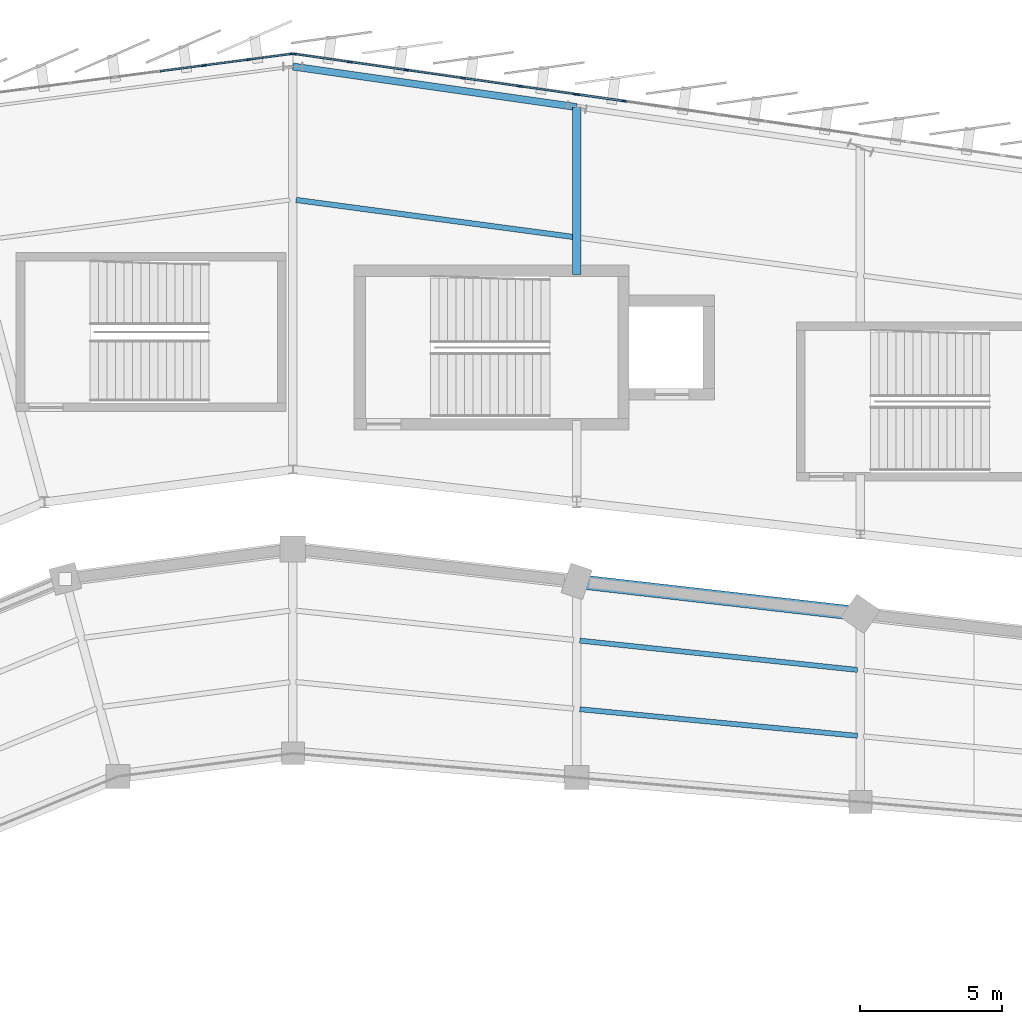
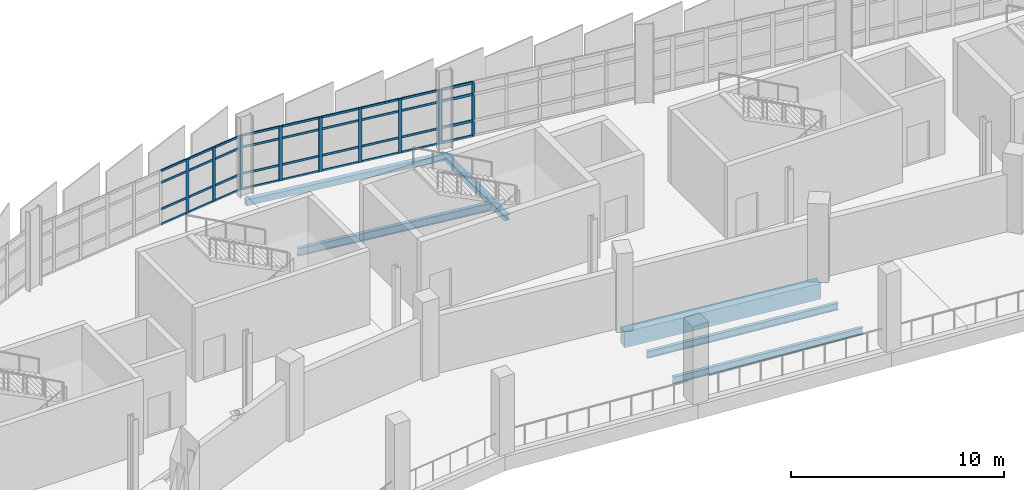
# One storey, part 58 of 125: 47 members, 6 beams, 3 elements without a shape of their own.
"""IFC4 building model written with IfcOpenShell, lengths in metres."""

import ifcopenshell
import ifcopenshell.guid

model = None  # the IFC model being written
_history = None  # IfcOwnerHistory: only IFC2X3 demands one
_inside = {}  # id of a spatial element -> (the spatial element, [elements in it])
_under = {}  # id of a project, library or spatial element -> (it, [spatial elements below it])
_declared = {}  # id of a project -> (the project, [libraries it declares])
_typed = {}  # id of a type object -> (the type object, [elements of that type])
_made_of = {}  # id of a material, layer set ... -> (it, [elements and type objects made of it])


def new_model(schema):
    """Start an empty IFC model of exactly this schema.

    Asked for "IFC4X3", IfcOpenShell would pick the latest addendum, in which some entities
    have other attributes; the version numbers below select the first issue.
    IFC2X3 requires an IfcOwnerHistory on every rooted entity: one is made here for all.
    """
    global model, _history
    if schema == "IFC4X3":
        model = ifcopenshell.file(schema_version=(4, 3, 0, 0))
    else:
        model = ifcopenshell.file(schema=schema)
    _inside.clear()
    _under.clear()
    _declared.clear()
    _typed.clear()
    _made_of.clear()
    _history = None
    if model.schema == "IFC2X3":
        org = make("IfcOrganization", Name="unknown")
        user = make(
            "IfcPersonAndOrganization",
            ThePerson=make("IfcPerson", FamilyName="unknown"),
            TheOrganization=org,
        )
        app = make(
            "IfcApplication",
            ApplicationDeveloper=org,
            Version="unknown",
            ApplicationFullName="unknown",
            ApplicationIdentifier="unknown",
        )
        _history = make(
            "IfcOwnerHistory",
            OwningUser=user,
            OwningApplication=app,
            ChangeAction="ADDED",
            CreationDate=0,
        )
    return model


def make(cls, **values):
    """One entity of the class cls with the attributes given. An attribute that is None is left unset."""
    return model.create_entity(
        cls, **{name: value for name, value in values.items() if value is not None}
    )


def rooted(cls, **values):
    """An entity with a GlobalId (a new one), such as an element, a storey or a relation."""
    return make(cls, GlobalId=ifcopenshell.guid.new(), OwnerHistory=_history, **values)


def si_unit(unit_type, name, prefix=None):
    """IfcSIUnit, for example si_unit("LENGTHUNIT", "METRE", prefix="MILLI")."""
    return make("IfcSIUnit", UnitType=unit_type, Prefix=prefix, Name=name)


def assignment(units):
    """IfcUnitAssignment: the units of a project."""
    return None if units is None else make("IfcUnitAssignment", Units=units)


def point(xyz):
    """IfcCartesianPoint."""
    return None if xyz is None else make("IfcCartesianPoint", Coordinates=xyz)


def direction(xyz):
    """IfcDirection."""
    return None if xyz is None else make("IfcDirection", DirectionRatios=xyz)


def frame(location, z_axis=None, x_axis=None):
    """IfcAxis2Placement3D, a coordinate frame: its origin and axes. An axis left out is left unset."""
    return make(
        "IfcAxis2Placement3D",
        Location=point(location),
        Axis=direction(z_axis),
        RefDirection=direction(x_axis),
    )


def frame_2d(location, x_axis=None):
    """IfcAxis2Placement2D, a coordinate frame in the plane: its origin and x axis."""
    return make(
        "IfcAxis2Placement2D", Location=point(location), RefDirection=direction(x_axis)
    )


def origin():
    """The frame at (0, 0, 0) with its axes left unset."""
    return frame((0.0, 0.0, 0.0))


def origin_2d():
    """The frame at (0, 0) in the plane with its x axis left unset."""
    return frame_2d((0.0, 0.0))


def place(relative_to, where):
    """IfcLocalPlacement: puts the frame where relative to a parent placement (None: the world)."""
    return make(
        "IfcLocalPlacement", PlacementRelTo=relative_to, RelativePlacement=where
    )


def context(
    kind, dimensions, precision=None, world=None, true_north=None, identifier=None
):
    """IfcGeometricRepresentationContext, for example the 3D "Model" context."""
    return make(
        "IfcGeometricRepresentationContext",
        ContextIdentifier=identifier,
        ContextType=kind,
        CoordinateSpaceDimension=dimensions,
        Precision=precision,
        WorldCoordinateSystem=world,
        TrueNorth=true_north,
    )


def subcontext(parent, identifier, kind, view, scale=None):
    """IfcGeometricRepresentationSubContext, for example "Body" below "Model"."""
    return make(
        "IfcGeometricRepresentationSubContext",
        ContextIdentifier=identifier,
        ContextType=kind,
        ParentContext=parent,
        TargetScale=scale,
        TargetView=view,
    )


def project(units=None, contexts=None):
    """IfcProject with its units and contexts."""
    return rooted(
        "IfcProject",
        Name="project",
        RepresentationContexts=contexts,
        UnitsInContext=assignment(units),
    )


def spatial(cls, under=None, at=None, **own):
    """A site, building, storey or space (cls), placed at a placement, below another one or the project."""
    s = rooted(cls, ObjectPlacement=at, **own)
    if under is not None:
        _under.setdefault(under.id(), (under, []))[1].append(s)
    return s


def profile(cls, at=None, kind="AREA", **sizes):
    """A parametric profile (cls). Its sizes go by their IFC names, for example OverallWidth=200.0."""
    return make(cls, ProfileType=kind, Position=at, **sizes)


def rectangle(**sizes):
    """IfcRectangleProfileDef."""
    return profile("IfcRectangleProfileDef", **sizes)


def hollow_rectangle(**sizes):
    """IfcRectangleHollowProfileDef."""
    return profile("IfcRectangleHollowProfileDef", **sizes)


def i_section(**sizes):
    """IfcIShapeProfileDef."""
    return profile("IfcIShapeProfileDef", **sizes)


def extrude(swept, where, along, depth):
    """IfcExtrudedAreaSolid: the profile swept, set in the frame where, extruded along a direction by depth."""
    return make(
        "IfcExtrudedAreaSolid",
        SweptArea=swept,
        Position=where,
        ExtrudedDirection=direction(along),
        Depth=depth,
    )


def shape(context_of_items, identifier, shape_type, items):
    """IfcShapeRepresentation: the items that make up one representation, for example the "Body"."""
    return make(
        "IfcShapeRepresentation",
        ContextOfItems=context_of_items,
        RepresentationIdentifier=identifier,
        RepresentationType=shape_type,
        Items=items,
    )


def material(Name=None, Category=None):
    """IfcMaterial."""
    return make("IfcMaterial", Name=Name, Category=Category)


def layer(
    of_material, thickness, ventilated=None, Name=None, Category=None, Priority=None
):
    """IfcMaterialLayer: one layer of a wall or slab, of a material (None: an air gap)."""
    return make(
        "IfcMaterialLayer",
        Material=of_material,
        LayerThickness=thickness,
        IsVentilated=ventilated,
        Name=Name,
        Category=Category,
        Priority=Priority,
    )


def layer_set(layers, Name=None):
    """IfcMaterialLayerSet."""
    return make("IfcMaterialLayerSet", MaterialLayers=layers, LayerSetName=Name)


def material_profile(
    of_material, cross_section, Name=None, Category=None, Priority=None
):
    """IfcMaterialProfile: a cross section and its material."""
    return make(
        "IfcMaterialProfile",
        Name=Name,
        Material=of_material,
        Profile=cross_section,
        Priority=Priority,
        Category=Category,
    )


def profile_set(profiles, Name=None, composite=None):
    """IfcMaterialProfileSet."""
    return make(
        "IfcMaterialProfileSet",
        Name=Name,
        MaterialProfiles=profiles,
        CompositeProfile=composite,
    )


def made_of(thing, what):
    """Note that an element or type object is made of a material, layer set ...; save() writes the relation."""
    if what is not None:
        _made_of.setdefault(what.id(), (what, []))[1].append(thing)
    return thing


def type_object(cls, material=None, **own):
    """A type object (cls), such as IfcWallType, which elements share."""
    return made_of(rooted(cls, **own), material)


def element(
    cls,
    number,
    at=None,
    inside=None,
    cuts=None,
    type_object=None,
    material=None,
    context=None,
    identifier="Body",
    shape_type=None,
    held_by="IfcProductDefinitionShape",
    body=None,
    shapes=None,
    **own,
):
    """One element of the class cls, such as IfcWall. Its Tag is "e" and its number.

    at: its placement. inside: the storey or other place that contains it. cuts: it is an
    opening in that element (IfcRelVoidsElement). A single representation is given by context,
    identifier, shape_type and body (its items); several are given by shapes. held_by: the class
    of the entity that holds the representations. save() writes the other relations.
    """
    e = rooted(cls, Tag="e%d" % number, ObjectPlacement=at, **own)
    if body is not None:
        shapes = [shape(context, identifier, shape_type, body)]
    if shapes is not None:
        e.Representation = make(held_by, Representations=shapes)
    if inside is not None:
        _inside.setdefault(inside.id(), (inside, []))[1].append(e)
    if cuts is not None:
        rooted(
            "IfcRelVoidsElement", RelatingBuildingElement=cuts, RelatedOpeningElement=e
        )
    if type_object is not None:
        _typed.setdefault(type_object.id(), (type_object, []))[1].append(e)
    return made_of(e, material)


def aggregate(whole, parts):
    """IfcRelAggregates: a whole, such as a stair, and the parts it consists of."""
    return rooted("IfcRelAggregates", RelatingObject=whole, RelatedObjects=parts)


def save(model, path):
    """Write the relations noted so far, then the file.

    IfcRelAggregates (storeys below a building ...), IfcRelContainedInSpatialStructure (elements
    in a storey), IfcRelDefinesByType, IfcRelAssociatesMaterial and IfcRelDeclares: one each for
    every whole, place, type object, material and project.
    """
    for whole, parts in _under.values():
        aggregate(whole, parts)
    for where, things in _inside.values():
        rooted(
            "IfcRelContainedInSpatialStructure",
            RelatedElements=things,
            RelatingStructure=where,
        )
    for kind, things in _typed.values():
        rooted("IfcRelDefinesByType", RelatedObjects=things, RelatingType=kind)
    for what, things in _made_of.values():
        rooted("IfcRelAssociatesMaterial", RelatedObjects=things, RelatingMaterial=what)
    for by, libraries in _declared.values():
        rooted("IfcRelDeclares", RelatingContext=by, RelatedDefinitions=libraries)
    model.write(path)


model = new_model("IFC4")

# Units and contexts
model_context = context("Model", 3, precision=1e-05, world=origin(), true_north=direction((0.0, 1.0)))
body_context = subcontext(model_context, "Body", "Model", "MODEL_VIEW")
ifc_project = project(units=[si_unit("LENGTHUNIT", "METRE"), si_unit("AREAUNIT", "SQUARE_METRE"), si_unit("VOLUMEUNIT", "CUBIC_METRE"), si_unit("PLANEANGLEUNIT", "RADIAN"), si_unit("MASSUNIT", "GRAM", prefix="KILO")], contexts=[model_context])

# Site, building, storey
site_placement = place(None, origin())
site = spatial("IfcSite", under=ifc_project, at=site_placement, CompositionType="ELEMENT")
building_placement = place(site_placement, origin())
building = spatial("IfcBuilding", under=site, at=building_placement, Name="Sohan Crest Arena", CompositionType="ELEMENT")
storey_placement = place(building_placement, frame((0.0, 0.0, 9.0)))
storey = spatial("IfcBuildingStorey", under=building, at=storey_placement, Name="L02", CompositionType="ELEMENT", Elevation=9.0)

# Curtain wall, members
ifc_material_1 = material(Name="Thermally broken anodised aluminium", Category="aluminium")
ifc_layer_1 = layer(ifc_material_1, 0.179931640625, Name="Thermally broken anodised aluminium")
ifc_layer_set_1 = layer_set([ifc_layer_1], Name="Thermally broken anodised aluminium")
curtain_wall_type_1 = type_object("IfcCurtainWallType", Name="ARC-CW01", PredefinedType="NOTDEFINED", material=ifc_layer_set_1)
curtain_wall_1_placement = place(storey_placement, origin())
curtain_wall_1 = element("IfcCurtainWall", 1, at=curtain_wall_1_placement, inside=storey, type_object=curtain_wall_type_1, Name="Unitised curtain wall CW-050", PredefinedType="NOTDEFINED")
ifc_material_profile_1 = material_profile(ifc_material_1, rectangle(XDim=0.06005859375, YDim=0.159912109375, at=origin_2d()), Name="ALU-MULL 60x160")
ifc_profile_set_1 = profile_set([ifc_material_profile_1], Name="Thermally broken anodised aluminium")
member_type_1 = type_object("IfcMemberType", Name="ARC-CW-ML01", PredefinedType="MULLION", material=ifc_profile_set_1)
member_1_placement = place(storey_placement, frame((97.97021484375, 126.446044921875, 0.0), z_axis=(0.0, 0.0, 1.0), x_axis=(0.130532229177, -0.991444066575, 0.0)))
member_1 = element("IfcMember", 2, at=member_1_placement, type_object=member_type_1, Name="CW-050 mullion 1", PredefinedType="MULLION", context=body_context, shape_type="SweptSolid", body=[
    extrude(rectangle(XDim=0.06005859375, YDim=0.159912109375, at=origin_2d()), origin(), (0.0, 0.0, 1.0), 3.1201171875),
])
member_2_placement = place(storey_placement, frame((96.4326171875, 126.24365234375, 0.0), z_axis=(0.0, 0.0, 1.0), x_axis=(0.130532229177, -0.991444066575, 0.0)))
member_2 = element("IfcMember", 3, at=member_2_placement, type_object=member_type_1, Name="CW-050 mullion 2", PredefinedType="MULLION", context=body_context, shape_type="SweptSolid", body=[
    extrude(rectangle(XDim=0.06005859375, YDim=0.159912109375, at=origin_2d()), origin(), (0.0, 0.0, 1.0), 3.1201171875),
])
member_3_placement = place(storey_placement, frame((94.864990234375, 126.037353515625, 0.0), z_axis=(0.0, 0.0, 1.0), x_axis=(0.130532229177, -0.991444066575, 0.0)))
member_3 = element("IfcMember", 4, at=member_3_placement, type_object=member_type_1, Name="CW-050 mullion 3", PredefinedType="MULLION", context=body_context, shape_type="SweptSolid", body=[
    extrude(rectangle(XDim=0.06005859375, YDim=0.159912109375, at=origin_2d()), origin(), (0.0, 0.0, 1.0), 3.1201171875),
])

ifc_layer_2 = layer(ifc_material_1, 0.219970703125, Name="Thermally broken anodised aluminium")
ifc_layer_set_2 = layer_set([ifc_layer_2], Name="Thermally broken anodised aluminium")
curtain_wall_type_2 = type_object("IfcCurtainWallType", Name="ARC-CW03", PredefinedType="NOTDEFINED", material=ifc_layer_set_2)
curtain_wall_2_placement = place(storey_placement, origin())
curtain_wall_2 = element("IfcCurtainWall", 5, at=curtain_wall_2_placement, inside=storey, type_object=curtain_wall_type_2, Name="Unitised curtain wall CW-078", PredefinedType="NOTDEFINED")
member_4_placement = place(storey_placement, frame((109.666748046875, 124.782958984375, 0.0), z_axis=(0.0, 0.0, 1.0), x_axis=(-0.141365918403, -0.989957411768, 0.0)))
member_4 = element("IfcMember", 6, at=member_4_placement, type_object=member_type_1, Name="CW-078 mullion 6", PredefinedType="MULLION", context=body_context, shape_type="SweptSolid", body=[
    extrude(rectangle(XDim=0.06005859375, YDim=0.159912109375, at=origin_2d()), origin(), (0.0, 0.0, 1.0), 3.1201171875),
])
member_5_placement = place(storey_placement, frame((108.02978515625, 125.016845703125, 0.0), z_axis=(0.0, 0.0, 1.0), x_axis=(-0.141365918403, -0.989957411768, 0.0)))
member_5 = element("IfcMember", 7, at=member_5_placement, type_object=member_type_1, Name="CW-078 mullion 7", PredefinedType="MULLION", context=body_context, shape_type="SweptSolid", body=[
    extrude(rectangle(XDim=0.06005859375, YDim=0.159912109375, at=origin_2d()), origin(), (0.0, 0.0, 1.0), 3.1201171875),
])

ifc_layer_3 = layer(ifc_material_1, 0.239990234375, Name="Thermally broken anodised aluminium")
ifc_layer_set_3 = layer_set([ifc_layer_3], Name="Thermally broken anodised aluminium")
curtain_wall_type_3 = type_object("IfcCurtainWallType", Name="ARC-CW04", PredefinedType="NOTDEFINED", material=ifc_layer_set_3)
curtain_wall_3_placement = place(storey_placement, origin())
curtain_wall_3 = element("IfcCurtainWall", 8, at=curtain_wall_3_placement, inside=storey, type_object=curtain_wall_type_3, Name="Unitised curtain wall CW-079", PredefinedType="NOTDEFINED")
ifc_material_profile_2 = material_profile(ifc_material_1, rectangle(XDim=0.06494140625, YDim=0.179931640625, at=origin_2d()), Name="ALU-MULL 65x180")
ifc_profile_set_2 = profile_set([ifc_material_profile_2], Name="Thermally broken anodised aluminium")
member_type_2 = type_object("IfcMemberType", Name="ARC-CW-ML02", PredefinedType="MULLION", material=ifc_profile_set_2)
member_6_placement = place(storey_placement, frame((107.9677734375, 125.025634765625, 0.0), z_axis=(0.0, 0.0, 1.0), x_axis=(-0.141462933734, -0.989943553128, 0.0)))
member_6 = element("IfcMember", 9, at=member_6_placement, type_object=member_type_2, Name="CW-079 mullion 1", PredefinedType="MULLION", context=body_context, shape_type="SweptSolid", body=[
    extrude(rectangle(XDim=0.06494140625, YDim=0.179931640625, at=origin_2d()), origin(), (0.0, 0.0, 1.0), 3.1201171875),
])
member_7_placement = place(storey_placement, frame((106.0, 125.306884765625, 0.0), z_axis=(0.0, 0.0, 1.0), x_axis=(-0.141462933734, -0.989943553128, 0.0)))
member_7 = element("IfcMember", 10, at=member_7_placement, type_object=member_type_2, Name="CW-079 mullion 2", PredefinedType="MULLION", context=body_context, shape_type="SweptSolid", body=[
    extrude(rectangle(XDim=0.06494140625, YDim=0.179931640625, at=origin_2d()), origin(), (0.0, 0.0, 1.0), 3.1201171875),
])
member_8_placement = place(storey_placement, frame((104.0, 125.592529296875, 0.0), z_axis=(0.0, 0.0, 1.0), x_axis=(-0.141462933734, -0.989943553128, 0.0)))
member_8 = element("IfcMember", 11, at=member_8_placement, type_object=member_type_2, Name="CW-079 mullion 3", PredefinedType="MULLION", context=body_context, shape_type="SweptSolid", body=[
    extrude(rectangle(XDim=0.06494140625, YDim=0.179931640625, at=origin_2d()), origin(), (0.0, 0.0, 1.0), 3.1201171875),
])
member_9_placement = place(storey_placement, frame((102.0, 125.87841796875, 0.0), z_axis=(0.0, 0.0, 1.0), x_axis=(-0.141462933734, -0.989943553128, 0.0)))
member_9 = element("IfcMember", 12, at=member_9_placement, type_object=member_type_2, Name="CW-079 mullion 4", PredefinedType="MULLION", context=body_context, shape_type="SweptSolid", body=[
    extrude(rectangle(XDim=0.06494140625, YDim=0.179931640625, at=origin_2d()), origin(), (0.0, 0.0, 1.0), 3.1201171875),
])
member_10_placement = place(storey_placement, frame((100.0, 126.164306640625, 0.0), z_axis=(0.0, 0.0, 1.0), x_axis=(-0.141462933734, -0.989943553128, 0.0)))
member_10 = element("IfcMember", 13, at=member_10_placement, type_object=member_type_2, Name="CW-079 mullion 5", PredefinedType="MULLION", context=body_context, shape_type="SweptSolid", body=[
    extrude(rectangle(XDim=0.06494140625, YDim=0.179931640625, at=origin_2d()), origin(), (0.0, 0.0, 1.0), 3.1201171875),
])
member_11_placement = place(storey_placement, frame((98.0322265625, 126.4453125, 0.0), z_axis=(0.0, 0.0, 1.0), x_axis=(-0.141462933734, -0.989943553128, 0.0)))
member_11 = element("IfcMember", 14, at=member_11_placement, type_object=member_type_2, Name="CW-079 mullion 6", PredefinedType="MULLION", context=body_context, shape_type="SweptSolid", body=[
    extrude(rectangle(XDim=0.06494140625, YDim=0.179931640625, at=origin_2d()), origin(), (0.0, 0.0, 1.0), 3.1201171875),
])

# Member
ifc_material_profile_3 = material_profile(ifc_material_1, rectangle(XDim=0.06005859375, YDim=0.1201171875, at=origin_2d()), Name="ALU-TRAN 60x120")
ifc_profile_set_3 = profile_set([ifc_material_profile_3], Name="Thermally broken anodised aluminium")
member_type_3 = type_object("IfcMemberType", Name="ARC-CW-TR01", PredefinedType="USERDEFINED", material=ifc_profile_set_3)
member_12_placement = place(storey_placement, frame((97.9404296875, 126.442138671875, 0.030029296875), z_axis=(-0.991448163936, -0.13050110432, 0.0), x_axis=(0.13050110432, -0.991448163936, 0.0)))
member_12 = element("IfcMember", 15, at=member_12_placement, type_object=member_type_3, Name="CW-050 transom 1.1", ObjectType="TRANSOM", PredefinedType="USERDEFINED", context=body_context, shape_type="SweptSolid", body=[
    extrude(rectangle(XDim=0.06005859375, YDim=0.1201171875, at=origin_2d()), origin(), (0.0, 0.0, 1.0), 1.490966796875),
])

member_13_placement = place(storey_placement, frame((97.9404296875, 126.442138671875, 0.89990234375), z_axis=(-0.991448163936, -0.13050110432, 0.0), x_axis=(0.13050110432, -0.991448163936, 0.0)))
member_13 = element("IfcMember", 16, at=member_13_placement, type_object=member_type_3, Name="CW-050 transom 1.2", ObjectType="TRANSOM", PredefinedType="USERDEFINED", context=body_context, shape_type="SweptSolid", body=[
    extrude(rectangle(XDim=0.06005859375, YDim=0.1201171875, at=origin_2d()), origin(), (0.0, 0.0, 1.0), 1.490966796875),
])

member_14_placement = place(storey_placement, frame((97.9404296875, 126.442138671875, 2.419921875), z_axis=(-0.991448163936, -0.13050110432, 0.0), x_axis=(0.13050110432, -0.991448163936, 0.0)))
member_14 = element("IfcMember", 17, at=member_14_placement, type_object=member_type_3, Name="CW-050 transom 1.3", ObjectType="TRANSOM", PredefinedType="USERDEFINED", context=body_context, shape_type="SweptSolid", body=[
    extrude(rectangle(XDim=0.06005859375, YDim=0.1201171875, at=origin_2d()), origin(), (0.0, 0.0, 1.0), 1.490966796875),
])

member_15_placement = place(storey_placement, frame((97.9404296875, 126.442138671875, 3.090087890625), z_axis=(-0.991448163936, -0.13050110432, 0.0), x_axis=(0.13050110432, -0.991448163936, 0.0)))
member_15 = element("IfcMember", 18, at=member_15_placement, type_object=member_type_3, Name="CW-050 transom 1.4", ObjectType="TRANSOM", PredefinedType="USERDEFINED", context=body_context, shape_type="SweptSolid", body=[
    extrude(rectangle(XDim=0.06005859375, YDim=0.1201171875, at=origin_2d()), origin(), (0.0, 0.0, 1.0), 1.490966796875),
])

member_16_placement = place(storey_placement, frame((96.40283203125, 126.23974609375, 0.030029296875), z_axis=(-0.991449378026, -0.130491880255, 0.0), x_axis=(0.130491880255, -0.991449378026, 0.0)))
member_16 = element("IfcMember", 19, at=member_16_placement, type_object=member_type_3, Name="CW-050 transom 2.1", ObjectType="TRANSOM", PredefinedType="USERDEFINED", context=body_context, shape_type="SweptSolid", body=[
    extrude(rectangle(XDim=0.06005859375, YDim=0.1201171875, at=origin_2d()), origin(), (0.0, 0.0, 1.0), 1.52099609375),
])

member_17_placement = place(storey_placement, frame((96.40283203125, 126.23974609375, 0.89990234375), z_axis=(-0.991449378026, -0.130491880255, 0.0), x_axis=(0.130491880255, -0.991449378026, 0.0)))
member_17 = element("IfcMember", 20, at=member_17_placement, type_object=member_type_3, Name="CW-050 transom 2.2", ObjectType="TRANSOM", PredefinedType="USERDEFINED", context=body_context, shape_type="SweptSolid", body=[
    extrude(rectangle(XDim=0.06005859375, YDim=0.1201171875, at=origin_2d()), origin(), (0.0, 0.0, 1.0), 1.52099609375),
])

member_18_placement = place(storey_placement, frame((96.40283203125, 126.23974609375, 2.419921875), z_axis=(-0.991449378026, -0.130491880255, 0.0), x_axis=(0.130491880255, -0.991449378026, 0.0)))
member_18 = element("IfcMember", 21, at=member_18_placement, type_object=member_type_3, Name="CW-050 transom 2.3", ObjectType="TRANSOM", PredefinedType="USERDEFINED", context=body_context, shape_type="SweptSolid", body=[
    extrude(rectangle(XDim=0.06005859375, YDim=0.1201171875, at=origin_2d()), origin(), (0.0, 0.0, 1.0), 1.52099609375),
])

member_19_placement = place(storey_placement, frame((96.40283203125, 126.23974609375, 3.090087890625), z_axis=(-0.991449378026, -0.130491880255, 0.0), x_axis=(0.130491880255, -0.991449378026, 0.0)))
member_19 = element("IfcMember", 22, at=member_19_placement, type_object=member_type_3, Name="CW-050 transom 2.4", ObjectType="TRANSOM", PredefinedType="USERDEFINED", context=body_context, shape_type="SweptSolid", body=[
    extrude(rectangle(XDim=0.06005859375, YDim=0.1201171875, at=origin_2d()), origin(), (0.0, 0.0, 1.0), 1.52099609375),
])

member_20_placement = place(storey_placement, frame((94.835205078125, 126.033447265625, 0.030029296875), z_axis=(-0.991428600189, -0.130649648786, 0.0), x_axis=(0.130649648786, -0.991428600189, 0.0)))
member_20 = element("IfcMember", 23, at=member_20_placement, type_object=member_type_3, Name="CW-050 transom 3.1", ObjectType="TRANSOM", PredefinedType="USERDEFINED", context=body_context, shape_type="SweptSolid", body=[
    extrude(rectangle(XDim=0.06005859375, YDim=0.1201171875, at=origin_2d()), origin(), (0.0, 0.0, 1.0), 1.52099609375),
])

member_21_placement = place(storey_placement, frame((94.835205078125, 126.033447265625, 0.89990234375), z_axis=(-0.991428600189, -0.130649648786, 0.0), x_axis=(0.130649648786, -0.991428600189, 0.0)))
member_21 = element("IfcMember", 24, at=member_21_placement, type_object=member_type_3, Name="CW-050 transom 3.2", ObjectType="TRANSOM", PredefinedType="USERDEFINED", context=body_context, shape_type="SweptSolid", body=[
    extrude(rectangle(XDim=0.06005859375, YDim=0.1201171875, at=origin_2d()), origin(), (0.0, 0.0, 1.0), 1.52099609375),
])

member_22_placement = place(storey_placement, frame((94.835205078125, 126.033447265625, 2.419921875), z_axis=(-0.991428600189, -0.130649648786, 0.0), x_axis=(0.130649648786, -0.991428600189, 0.0)))
member_22 = element("IfcMember", 25, at=member_22_placement, type_object=member_type_3, Name="CW-050 transom 3.3", ObjectType="TRANSOM", PredefinedType="USERDEFINED", context=body_context, shape_type="SweptSolid", body=[
    extrude(rectangle(XDim=0.06005859375, YDim=0.1201171875, at=origin_2d()), origin(), (0.0, 0.0, 1.0), 1.52099609375),
])

member_23_placement = place(storey_placement, frame((94.835205078125, 126.033447265625, 3.090087890625), z_axis=(-0.991428600189, -0.130649648786, 0.0), x_axis=(0.130649648786, -0.991428600189, 0.0)))
member_23 = element("IfcMember", 26, at=member_23_placement, type_object=member_type_3, Name="CW-050 transom 3.4", ObjectType="TRANSOM", PredefinedType="USERDEFINED", context=body_context, shape_type="SweptSolid", body=[
    extrude(rectangle(XDim=0.06005859375, YDim=0.1201171875, at=origin_2d()), origin(), (0.0, 0.0, 1.0), 1.52099609375),
])

aggregate(curtain_wall_1, [member_1, member_2, member_3, member_12, member_13, member_14, member_15, member_16, member_17, member_18, member_19, member_20, member_21, member_22, member_23])

member_24_placement = place(storey_placement, frame((107.935546875, 125.0302734375, 0.030029296875), z_axis=(-0.98994441378, 0.141456910845, 0.0), x_axis=(-0.141456910845, -0.98994441378, 0.0)))
member_24 = element("IfcMember", 27, at=member_24_placement, type_object=member_type_3, Name="CW-079 transom 1.1", ObjectType="TRANSOM", PredefinedType="USERDEFINED", context=body_context, shape_type="SweptSolid", body=[
    extrude(rectangle(XDim=0.06005859375, YDim=0.1201171875, at=origin_2d()), origin(), (0.0, 0.0, 1.0), 1.922607421875),
])

member_25_placement = place(storey_placement, frame((107.935546875, 125.0302734375, 0.89990234375), z_axis=(-0.98994441378, 0.141456910845, 0.0), x_axis=(-0.141456910845, -0.98994441378, 0.0)))
member_25 = element("IfcMember", 28, at=member_25_placement, type_object=member_type_3, Name="CW-079 transom 1.2", ObjectType="TRANSOM", PredefinedType="USERDEFINED", context=body_context, shape_type="SweptSolid", body=[
    extrude(rectangle(XDim=0.06005859375, YDim=0.1201171875, at=origin_2d()), origin(), (0.0, 0.0, 1.0), 1.922607421875),
])

member_26_placement = place(storey_placement, frame((107.935546875, 125.0302734375, 2.419921875), z_axis=(-0.98994441378, 0.141456910845, 0.0), x_axis=(-0.141456910845, -0.98994441378, 0.0)))
member_26 = element("IfcMember", 29, at=member_26_placement, type_object=member_type_3, Name="CW-079 transom 1.3", ObjectType="TRANSOM", PredefinedType="USERDEFINED", context=body_context, shape_type="SweptSolid", body=[
    extrude(rectangle(XDim=0.06005859375, YDim=0.1201171875, at=origin_2d()), origin(), (0.0, 0.0, 1.0), 1.922607421875),
])

member_27_placement = place(storey_placement, frame((107.935546875, 125.0302734375, 3.090087890625), z_axis=(-0.98994441378, 0.141456910845, 0.0), x_axis=(-0.141456910845, -0.98994441378, 0.0)))
member_27 = element("IfcMember", 30, at=member_27_placement, type_object=member_type_3, Name="CW-079 transom 1.4", ObjectType="TRANSOM", PredefinedType="USERDEFINED", context=body_context, shape_type="SweptSolid", body=[
    extrude(rectangle(XDim=0.06005859375, YDim=0.1201171875, at=origin_2d()), origin(), (0.0, 0.0, 1.0), 1.922607421875),
])

member_28_placement = place(storey_placement, frame((105.9677734375, 125.311279296875, 0.030029296875), z_axis=(-0.989942000279, 0.141473799989, 0.0), x_axis=(-0.141473799989, -0.989942000279, 0.0)))
member_28 = element("IfcMember", 31, at=member_28_placement, type_object=member_type_3, Name="CW-079 transom 2.1", ObjectType="TRANSOM", PredefinedType="USERDEFINED", context=body_context, shape_type="SweptSolid", body=[
    extrude(rectangle(XDim=0.06005859375, YDim=0.1201171875, at=origin_2d()), origin(), (0.0, 0.0, 1.0), 1.955322265625),
])

member_29_placement = place(storey_placement, frame((105.9677734375, 125.311279296875, 0.89990234375), z_axis=(-0.989942000279, 0.141473799989, 0.0), x_axis=(-0.141473799989, -0.989942000279, 0.0)))
member_29 = element("IfcMember", 32, at=member_29_placement, type_object=member_type_3, Name="CW-079 transom 2.2", ObjectType="TRANSOM", PredefinedType="USERDEFINED", context=body_context, shape_type="SweptSolid", body=[
    extrude(rectangle(XDim=0.06005859375, YDim=0.1201171875, at=origin_2d()), origin(), (0.0, 0.0, 1.0), 1.955322265625),
])

member_30_placement = place(storey_placement, frame((105.9677734375, 125.311279296875, 2.419921875), z_axis=(-0.989942000279, 0.141473799989, 0.0), x_axis=(-0.141473799989, -0.989942000279, 0.0)))
member_30 = element("IfcMember", 33, at=member_30_placement, type_object=member_type_3, Name="CW-079 transom 2.3", ObjectType="TRANSOM", PredefinedType="USERDEFINED", context=body_context, shape_type="SweptSolid", body=[
    extrude(rectangle(XDim=0.06005859375, YDim=0.1201171875, at=origin_2d()), origin(), (0.0, 0.0, 1.0), 1.955322265625),
])

member_31_placement = place(storey_placement, frame((105.9677734375, 125.311279296875, 3.090087890625), z_axis=(-0.989942000279, 0.141473799989, 0.0), x_axis=(-0.141473799989, -0.989942000279, 0.0)))
member_31 = element("IfcMember", 34, at=member_31_placement, type_object=member_type_3, Name="CW-079 transom 2.4", ObjectType="TRANSOM", PredefinedType="USERDEFINED", context=body_context, shape_type="SweptSolid", body=[
    extrude(rectangle(XDim=0.06005859375, YDim=0.1201171875, at=origin_2d()), origin(), (0.0, 0.0, 1.0), 1.955322265625),
])

member_32_placement = place(storey_placement, frame((103.9677734375, 125.59716796875, 0.030029296875), z_axis=(-0.989942000279, 0.141473799989, 0.0), x_axis=(-0.141473799989, -0.989942000279, 0.0)))
member_32 = element("IfcMember", 35, at=member_32_placement, type_object=member_type_3, Name="CW-079 transom 3.1", ObjectType="TRANSOM", PredefinedType="USERDEFINED", context=body_context, shape_type="SweptSolid", body=[
    extrude(rectangle(XDim=0.06005859375, YDim=0.1201171875, at=origin_2d()), origin(), (0.0, 0.0, 1.0), 1.955322265625),
])

member_33_placement = place(storey_placement, frame((103.9677734375, 125.59716796875, 0.89990234375), z_axis=(-0.989942000279, 0.141473799989, 0.0), x_axis=(-0.141473799989, -0.989942000279, 0.0)))
member_33 = element("IfcMember", 36, at=member_33_placement, type_object=member_type_3, Name="CW-079 transom 3.2", ObjectType="TRANSOM", PredefinedType="USERDEFINED", context=body_context, shape_type="SweptSolid", body=[
    extrude(rectangle(XDim=0.06005859375, YDim=0.1201171875, at=origin_2d()), origin(), (0.0, 0.0, 1.0), 1.955322265625),
])

member_34_placement = place(storey_placement, frame((103.9677734375, 125.59716796875, 2.419921875), z_axis=(-0.989942000279, 0.141473799989, 0.0), x_axis=(-0.141473799989, -0.989942000279, 0.0)))
member_34 = element("IfcMember", 37, at=member_34_placement, type_object=member_type_3, Name="CW-079 transom 3.3", ObjectType="TRANSOM", PredefinedType="USERDEFINED", context=body_context, shape_type="SweptSolid", body=[
    extrude(rectangle(XDim=0.06005859375, YDim=0.1201171875, at=origin_2d()), origin(), (0.0, 0.0, 1.0), 1.955322265625),
])

member_35_placement = place(storey_placement, frame((103.9677734375, 125.59716796875, 3.090087890625), z_axis=(-0.989942000279, 0.141473799989, 0.0), x_axis=(-0.141473799989, -0.989942000279, 0.0)))
member_35 = element("IfcMember", 38, at=member_35_placement, type_object=member_type_3, Name="CW-079 transom 3.4", ObjectType="TRANSOM", PredefinedType="USERDEFINED", context=body_context, shape_type="SweptSolid", body=[
    extrude(rectangle(XDim=0.06005859375, YDim=0.1201171875, at=origin_2d()), origin(), (0.0, 0.0, 1.0), 1.955322265625),
])

member_36_placement = place(storey_placement, frame((101.9677734375, 125.883056640625, 0.030029296875), z_axis=(-0.989942000279, 0.141473799989, 0.0), x_axis=(-0.141473799989, -0.989942000279, 0.0)))
member_36 = element("IfcMember", 39, at=member_36_placement, type_object=member_type_3, Name="CW-079 transom 4.1", ObjectType="TRANSOM", PredefinedType="USERDEFINED", context=body_context, shape_type="SweptSolid", body=[
    extrude(rectangle(XDim=0.06005859375, YDim=0.1201171875, at=origin_2d()), origin(), (0.0, 0.0, 1.0), 1.955322265625),
])

member_37_placement = place(storey_placement, frame((101.9677734375, 125.883056640625, 0.89990234375), z_axis=(-0.989942000279, 0.141473799989, 0.0), x_axis=(-0.141473799989, -0.989942000279, 0.0)))
member_37 = element("IfcMember", 40, at=member_37_placement, type_object=member_type_3, Name="CW-079 transom 4.2", ObjectType="TRANSOM", PredefinedType="USERDEFINED", context=body_context, shape_type="SweptSolid", body=[
    extrude(rectangle(XDim=0.06005859375, YDim=0.1201171875, at=origin_2d()), origin(), (0.0, 0.0, 1.0), 1.955322265625),
])

member_38_placement = place(storey_placement, frame((101.9677734375, 125.883056640625, 2.419921875), z_axis=(-0.989942000279, 0.141473799989, 0.0), x_axis=(-0.141473799989, -0.989942000279, 0.0)))
member_38 = element("IfcMember", 41, at=member_38_placement, type_object=member_type_3, Name="CW-079 transom 4.3", ObjectType="TRANSOM", PredefinedType="USERDEFINED", context=body_context, shape_type="SweptSolid", body=[
    extrude(rectangle(XDim=0.06005859375, YDim=0.1201171875, at=origin_2d()), origin(), (0.0, 0.0, 1.0), 1.955322265625),
])

member_39_placement = place(storey_placement, frame((101.9677734375, 125.883056640625, 3.090087890625), z_axis=(-0.989942000279, 0.141473799989, 0.0), x_axis=(-0.141473799989, -0.989942000279, 0.0)))
member_39 = element("IfcMember", 42, at=member_39_placement, type_object=member_type_3, Name="CW-079 transom 4.4", ObjectType="TRANSOM", PredefinedType="USERDEFINED", context=body_context, shape_type="SweptSolid", body=[
    extrude(rectangle(XDim=0.06005859375, YDim=0.1201171875, at=origin_2d()), origin(), (0.0, 0.0, 1.0), 1.955322265625),
])

member_40_placement = place(storey_placement, frame((99.9677734375, 126.168701171875, 0.030029296875), z_axis=(-0.989926624551, 0.141581347662, 0.0), x_axis=(-0.141581347662, -0.989926624551, 0.0)))
member_40 = element("IfcMember", 43, at=member_40_placement, type_object=member_type_3, Name="CW-079 transom 5.1", ObjectType="TRANSOM", PredefinedType="USERDEFINED", context=body_context, shape_type="SweptSolid", body=[
    extrude(rectangle(XDim=0.06005859375, YDim=0.1201171875, at=origin_2d()), origin(), (0.0, 0.0, 1.0), 1.922607421875),
])

member_41_placement = place(storey_placement, frame((99.9677734375, 126.168701171875, 0.89990234375), z_axis=(-0.989926624551, 0.141581347662, 0.0), x_axis=(-0.141581347662, -0.989926624551, 0.0)))
member_41 = element("IfcMember", 44, at=member_41_placement, type_object=member_type_3, Name="CW-079 transom 5.2", ObjectType="TRANSOM", PredefinedType="USERDEFINED", context=body_context, shape_type="SweptSolid", body=[
    extrude(rectangle(XDim=0.06005859375, YDim=0.1201171875, at=origin_2d()), origin(), (0.0, 0.0, 1.0), 1.922607421875),
])

member_42_placement = place(storey_placement, frame((99.9677734375, 126.168701171875, 2.419921875), z_axis=(-0.989926624551, 0.141581347662, 0.0), x_axis=(-0.141581347662, -0.989926624551, 0.0)))
member_42 = element("IfcMember", 45, at=member_42_placement, type_object=member_type_3, Name="CW-079 transom 5.3", ObjectType="TRANSOM", PredefinedType="USERDEFINED", context=body_context, shape_type="SweptSolid", body=[
    extrude(rectangle(XDim=0.06005859375, YDim=0.1201171875, at=origin_2d()), origin(), (0.0, 0.0, 1.0), 1.922607421875),
])

member_43_placement = place(storey_placement, frame((99.9677734375, 126.168701171875, 3.090087890625), z_axis=(-0.989926624551, 0.141581347662, 0.0), x_axis=(-0.141581347662, -0.989926624551, 0.0)))
member_43 = element("IfcMember", 46, at=member_43_placement, type_object=member_type_3, Name="CW-079 transom 5.4", ObjectType="TRANSOM", PredefinedType="USERDEFINED", context=body_context, shape_type="SweptSolid", body=[
    extrude(rectangle(XDim=0.06005859375, YDim=0.1201171875, at=origin_2d()), origin(), (0.0, 0.0, 1.0), 1.922607421875),
])

aggregate(curtain_wall_3, [member_6, member_7, member_8, member_9, member_10, member_11, member_24, member_25, member_26, member_27, member_28, member_29, member_30, member_31, member_32, member_33, member_34, member_35, member_36, member_37, member_38, member_39, member_40, member_41, member_42, member_43])

ifc_material_profile_4 = material_profile(ifc_material_1, rectangle(XDim=0.070068359375, YDim=0.14990234375, at=origin_2d()), Name="ALU-TRAN 70x150")
ifc_profile_set_4 = profile_set([ifc_material_profile_4], Name="Thermally broken anodised aluminium")
member_type_4 = type_object("IfcMemberType", Name="ARC-CW-TR03", PredefinedType="USERDEFINED", material=ifc_profile_set_4)
member_44_placement = place(storey_placement, frame((109.636962890625, 124.787353515625, 0.034912109375), z_axis=(-0.989973990682, 0.141249770877, 0.0), x_axis=(-0.141249770877, -0.989973990682, 0.0)))
member_44 = element("IfcMember", 47, at=member_44_placement, type_object=member_type_4, Name="CW-078 transom 6.1", ObjectType="TRANSOM", PredefinedType="USERDEFINED", context=body_context, shape_type="SweptSolid", body=[
    extrude(rectangle(XDim=0.070068359375, YDim=0.14990234375, at=origin_2d()), origin(), (0.0, 0.0, 1.0), 1.593505859375),
])

member_45_placement = place(storey_placement, frame((109.636962890625, 124.787353515625, 0.89990234375), z_axis=(-0.989973990682, 0.141249770877, 0.0), x_axis=(-0.141249770877, -0.989973990682, 0.0)))
member_45 = element("IfcMember", 48, at=member_45_placement, type_object=member_type_4, Name="CW-078 transom 6.2", ObjectType="TRANSOM", PredefinedType="USERDEFINED", context=body_context, shape_type="SweptSolid", body=[
    extrude(rectangle(XDim=0.070068359375, YDim=0.14990234375, at=origin_2d()), origin(), (0.0, 0.0, 1.0), 1.593505859375),
])

member_46_placement = place(storey_placement, frame((109.636962890625, 124.787353515625, 2.419921875), z_axis=(-0.989973990682, 0.141249770877, 0.0), x_axis=(-0.141249770877, -0.989973990682, 0.0)))
member_46 = element("IfcMember", 49, at=member_46_placement, type_object=member_type_4, Name="CW-078 transom 6.3", ObjectType="TRANSOM", PredefinedType="USERDEFINED", context=body_context, shape_type="SweptSolid", body=[
    extrude(rectangle(XDim=0.070068359375, YDim=0.14990234375, at=origin_2d()), origin(), (0.0, 0.0, 1.0), 1.593505859375),
])

member_47_placement = place(storey_placement, frame((109.636962890625, 124.787353515625, 3.0849609375), z_axis=(-0.989973990682, 0.141249770877, 0.0), x_axis=(-0.141249770877, -0.989973990682, 0.0)))
member_47 = element("IfcMember", 50, at=member_47_placement, type_object=member_type_4, Name="CW-078 transom 6.4", ObjectType="TRANSOM", PredefinedType="USERDEFINED", context=body_context, shape_type="SweptSolid", body=[
    extrude(rectangle(XDim=0.070068359375, YDim=0.14990234375, at=origin_2d()), origin(), (0.0, 0.0, 1.0), 1.593505859375),
])

aggregate(curtain_wall_2, [member_4, member_5, member_44, member_45, member_46, member_47])

# Beams
ifc_material_2 = material(Name="Steel S355", Category="steel")
ifc_material_profile_5 = material_profile(ifc_material_2, i_section(OverallWidth=0.179931640625, OverallDepth=0.39990234375, WebThickness=0.008544921875, FlangeThickness=0.013427734375, at=origin_2d()), Name="IPE 400")
ifc_profile_set_5 = profile_set([ifc_material_profile_5], Name="Steel S355")
beam_type_1 = type_object("IfcBeamType", Name="STR-BM-B03", PredefinedType="JOIST", material=ifc_profile_set_5)
beam_1_placement = place(storey_placement, frame((117.89111328125, 102.416015625, -0.449951171875), z_axis=(-0.995443739336, 0.095350730547, 0.0), x_axis=(-0.095350730547, -0.995443739336, 0.0)))
element("IfcBeam", 51, at=beam_1_placement, inside=storey, type_object=beam_type_1, Name="Structural beam J-L02-0782", PredefinedType="JOIST", context=body_context, shape_type="SweptSolid", body=[
    extrude(i_section(OverallWidth=0.179931640625, OverallDepth=0.39990234375, WebThickness=0.008544921875, FlangeThickness=0.013427734375, at=origin_2d()), origin(), (0.0, 0.0, 1.0), 9.826904296875),
])
beam_2_placement = place(storey_placement, frame((117.89111328125, 104.738037109375, -0.449951171875), z_axis=(-0.994470991784, 0.105011649352, 0.0), x_axis=(-0.105011649352, -0.994470991784, 0.0)))
element("IfcBeam", 52, at=beam_2_placement, inside=storey, type_object=beam_type_1, Name="Structural beam J-L02-0783", PredefinedType="JOIST", context=body_context, shape_type="SweptSolid", body=[
    extrude(i_section(OverallWidth=0.179931640625, OverallDepth=0.39990234375, WebThickness=0.008544921875, FlangeThickness=0.013427734375, at=origin_2d()), origin(), (0.0, 0.0, 1.0), 9.836669921875),
])
ifc_material_profile_6 = material_profile(ifc_material_2, i_section(OverallWidth=0.18994140625, OverallDepth=0.449951171875, WebThickness=0.009521484375, FlangeThickness=0.0146484375, at=origin_2d()), Name="IPE 450")
ifc_profile_set_6 = profile_set([ifc_material_profile_6], Name="Steel S355")
beam_type_2 = type_object("IfcBeamType", Name="STR-BM-B04", PredefinedType="JOIST", material=ifc_profile_set_6)
beam_3_placement = place(storey_placement, frame((107.89111328125, 119.993896484375, -0.47509765625), z_axis=(-0.991216229825, 0.132251222039, 0.0), x_axis=(-0.132251222039, -0.991216229825, 0.0)))
element("IfcBeam", 53, at=beam_3_placement, inside=storey, type_object=beam_type_2, Name="Structural beam J-L02-1398", PredefinedType="JOIST", context=body_context, shape_type="SweptSolid", body=[
    extrude(i_section(OverallWidth=0.18994140625, OverallDepth=0.449951171875, WebThickness=0.009521484375, FlangeThickness=0.0146484375, at=origin_2d()), origin(), (0.0, 0.0, 1.0), 9.868896484375),
])
ifc_material_profile_7 = material_profile(ifc_material_2, i_section(OverallWidth=0.300048828125, OverallDepth=0.300048828125, WebThickness=0.010986328125, FlangeThickness=0.01904296875, at=origin_2d()), Name="HEB 300")
ifc_profile_set_7 = profile_set([ifc_material_profile_7], Name="Steel S355")
beam_type_3 = type_object("IfcBeamType", Name="STR-BM-B12", PredefinedType="BEAM", material=ifc_profile_set_7)
beam_4_placement = place(storey_placement, frame((108.0, 118.679931640625, -0.39990234375), z_axis=(0.0, 1.0, 0.0), x_axis=(-1.0, 0.0, 0.0)))
element("IfcBeam", 54, at=beam_4_placement, inside=storey, type_object=beam_type_3, Name="Structural beam G-L02-1395", PredefinedType="BEAM", context=body_context, shape_type="SweptSolid", body=[
    extrude(i_section(OverallWidth=0.300048828125, OverallDepth=0.300048828125, WebThickness=0.010986328125, FlangeThickness=0.01904296875, at=origin_2d()), origin(), (0.0, 0.0, 1.0), 5.89111328125),
])
ifc_material_profile_8 = material_profile(ifc_material_2, hollow_rectangle(XDim=0.25, YDim=0.35009765625, WallThickness=0.012451171875, at=origin_2d()), Name="RHS 350x250x12.5")
ifc_profile_set_8 = profile_set([ifc_material_profile_8], Name="Steel S355")
beam_type_4 = type_object("IfcBeamType", Name="STR-BM-SP04", PredefinedType="SPANDREL", material=ifc_profile_set_8)
beam_5_placement = place(storey_placement, frame((108.0, 124.571044921875, -0.425048828125), z_axis=(-0.989944175879, 0.141458575718, 0.0), x_axis=(-0.141458575718, -0.989944175879, 0.0)))
element("IfcBeam", 55, at=beam_5_placement, inside=storey, type_object=beam_type_4, Name="Structural beam SP-L02-1397", PredefinedType="SPANDREL", context=body_context, shape_type="SweptSolid", body=[
    extrude(hollow_rectangle(XDim=0.25, YDim=0.35009765625, WallThickness=0.012451171875, at=origin_2d()), origin(), (0.0, 0.0, 1.0), 10.1015625),
])
ifc_material_3 = material(Name="Concrete C40/50", Category="concrete")
ifc_material_profile_9 = material_profile(ifc_material_3, rectangle(XDim=0.5, YDim=0.89990234375, at=origin_2d()), Name="RC-BM 500x900")
ifc_profile_set_9 = profile_set([ifc_material_profile_9], Name="Concrete C40/50")
beam_type_5 = type_object("IfcBeamType", Name="STR-BM-TB03", PredefinedType="BEAM", material=ifc_profile_set_9)
beam_6_placement = place(storey_placement, frame((118.0, 106.714111328125, -0.699951171875), z_axis=(-0.993533063564, 0.113543170668, 0.0), x_axis=(-0.113543170668, -0.993533063564, 0.0)))
element("IfcBeam", 56, at=beam_6_placement, inside=storey, type_object=beam_type_5, Name="Structural beam TB-L02-0780", PredefinedType="BEAM", context=body_context, shape_type="SweptSolid", body=[
    extrude(rectangle(XDim=0.5, YDim=0.89990234375, at=origin_2d()), origin(), (0.0, 0.0, 1.0), 10.065185546875),
])

save(model, "model.ifc")
